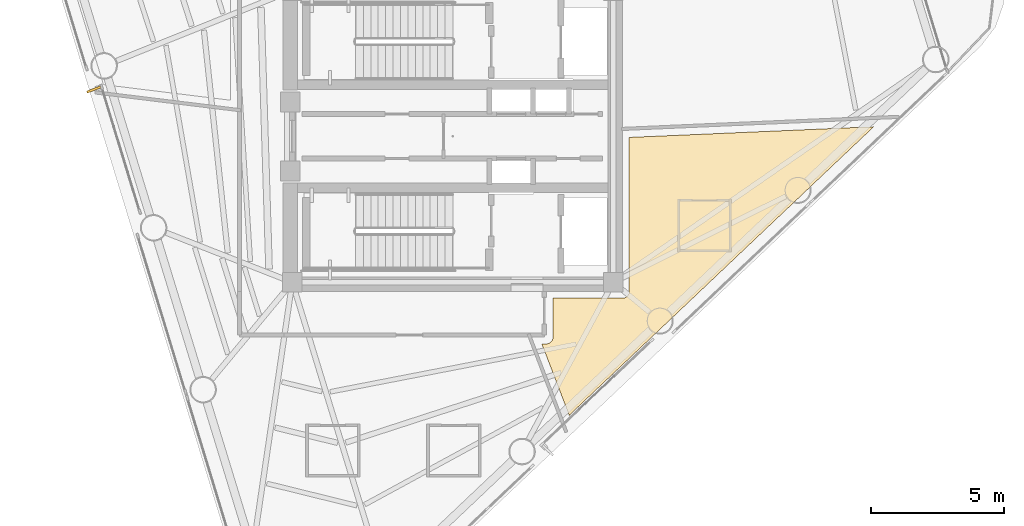
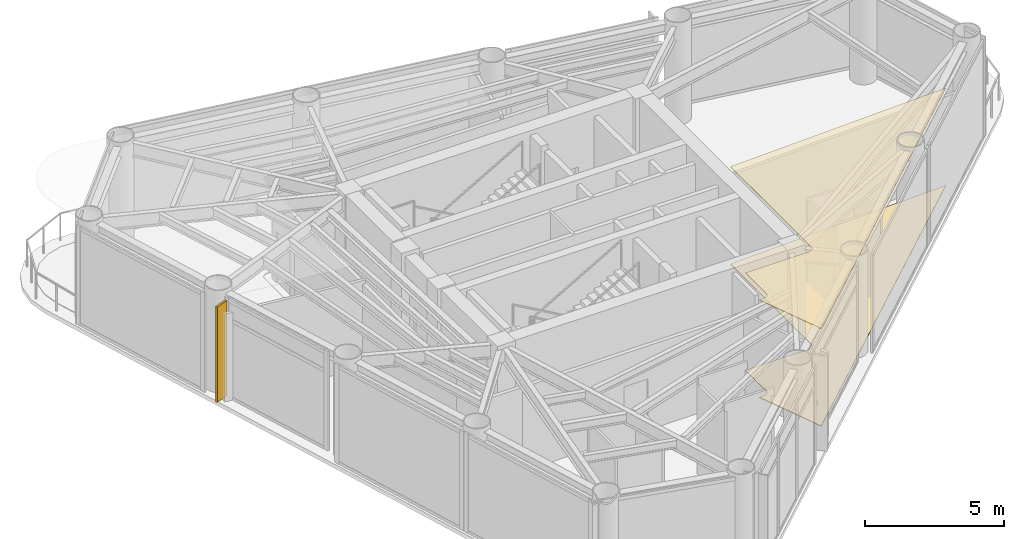
# One storey, part 9 of 11: 2 coverings, 1 shading device.
"""IFC4 building model written with IfcOpenShell, lengths in metres."""

from ifc_helpers import new_model, si_unit, direction, frame, origin, origin_2d, place, context, subcontext, project, spatial, polyline, rectangle, outline, extrude, source, transform, mapped, material, layer, layer_set, material_profile, profile_set, type_object, element, save


model = new_model("IFC4")

# Units and contexts
model_context = context("Model", 3, precision=1e-05, world=origin(), true_north=direction((0.0, 1.0)))
body_context = subcontext(model_context, "Body", "Model", "MODEL_VIEW")
ifc_project = project(units=[si_unit("LENGTHUNIT", "METRE"), si_unit("AREAUNIT", "SQUARE_METRE"), si_unit("VOLUMEUNIT", "CUBIC_METRE"), si_unit("PLANEANGLEUNIT", "RADIAN"), si_unit("MASSUNIT", "GRAM", prefix="KILO")], contexts=[model_context])

# Site, building, storey
site_placement = place(None, origin())
site = spatial("IfcSite", under=ifc_project, at=site_placement, CompositionType="ELEMENT")
building_placement = place(site_placement, origin())
building = spatial("IfcBuilding", under=site, at=building_placement, Name="Yunling Apex Tower", CompositionType="ELEMENT")
storey_placement = place(building_placement, frame((0.0, 0.0, 224.14990234375)))
storey = spatial("IfcBuildingStorey", under=building, at=storey_placement, Name="L54", CompositionType="ELEMENT", Elevation=224.14990234375)

# Coverings
ifc_material_1 = material(Name="Acoustic mineral fibre ceiling")
ifc_layer_1 = layer(ifc_material_1, 0.02490234375)
ifc_layer_set_1 = layer_set([ifc_layer_1], Name="Acoustic mineral fibre ceiling")
covering_type_1 = type_object("IfcCoveringType", Name="CV-CLG-1", PredefinedType="CEILING", material=ifc_layer_set_1)
covering_1_placement = place(storey_placement, frame((0.0, 0.0, 4.295166015625)))
element("IfcCovering", 1, at=covering_1_placement, inside=storey, type_object=covering_type_1, Name="CV-CL-SP-L54-R02", PredefinedType="CEILING", context=body_context, shape_type="SweptSolid", body=[
    extrude(outline(polyline([(4.38916015625, -10.513427734375), (3.355224609375, -7.820068359375), (3.53369140625, -7.820068359375), (3.554931640625, -7.8193359375), (3.580810546875, -7.81494140625), (3.6025390625, -7.8095703125), (3.624755859375, -7.801513671875), (3.648193359375, -7.790771484375), (3.669921875, -7.77734375), (3.688720703125, -7.763427734375), (3.706787109375, -7.746826171875), (3.723388671875, -7.728759765625), (3.7373046875, -7.7099609375), (3.750732421875, -7.688232421875), (3.76171875, -7.664794921875), (3.76953125, -7.642578125), (3.77490234375, -7.62060546875), (3.779296875, -7.594970703125), (3.780029296875, -7.57373046875), (3.780029296875, -6.10009765625), (6.40380859375, -6.10009765625), (6.4248046875, -6.099365234375), (6.45068359375, -6.094970703125), (6.472412109375, -6.089599609375), (6.494873046875, -6.08154296875), (6.518310546875, -6.07080078125), (6.5400390625, -6.057373046875), (6.55859375, -6.04345703125), (6.576904296875, -6.02685546875), (6.593505859375, -6.0087890625), (6.607421875, -5.989990234375), (6.62060546875, -5.96826171875), (6.631591796875, -5.94482421875), (6.639404296875, -5.922607421875), (6.64501953125, -5.900634765625), (6.6494140625, -5.875), (6.64990234375, -5.853759765625), (6.64990234375, -0.0400390625), (15.8662109375, 0.3623046875), (4.38916015625, -10.513427734375)])), origin(), (0.0, 0.0, 1.0), 0.02490234375),
])
ifc_material_2 = material(Name="Polished granite stone", Category="masonry")
ifc_layer_2 = layer(ifc_material_2, 0.030029296875)
ifc_layer_set_2 = layer_set([ifc_layer_2], Name="Polished granite stone")
covering_type_2 = type_object("IfcCoveringType", Name="CV-FLR-1", PredefinedType="FLOORING", material=ifc_layer_set_2)
covering_2_placement = place(storey_placement, origin())
element("IfcCovering", 2, at=covering_2_placement, inside=storey, type_object=covering_type_2, Name="CV-FL-SP-L54-R02", PredefinedType="FLOORING", context=body_context, shape_type="SweptSolid", body=[
    extrude(outline(polyline([(4.38916015625, -10.513427734375), (3.355224609375, -7.820068359375), (3.53369140625, -7.820068359375), (3.554931640625, -7.8193359375), (3.580810546875, -7.81494140625), (3.6025390625, -7.8095703125), (3.624755859375, -7.801513671875), (3.648193359375, -7.790771484375), (3.669921875, -7.77734375), (3.688720703125, -7.763427734375), (3.706787109375, -7.746826171875), (3.723388671875, -7.728759765625), (3.7373046875, -7.7099609375), (3.750732421875, -7.688232421875), (3.76171875, -7.664794921875), (3.76953125, -7.642578125), (3.77490234375, -7.62060546875), (3.779296875, -7.594970703125), (3.780029296875, -7.57373046875), (3.780029296875, -6.10009765625), (6.40380859375, -6.10009765625), (6.4248046875, -6.099365234375), (6.45068359375, -6.094970703125), (6.472412109375, -6.089599609375), (6.494873046875, -6.08154296875), (6.518310546875, -6.07080078125), (6.5400390625, -6.057373046875), (6.55859375, -6.04345703125), (6.576904296875, -6.02685546875), (6.593505859375, -6.0087890625), (6.607421875, -5.989990234375), (6.62060546875, -5.96826171875), (6.631591796875, -5.94482421875), (6.639404296875, -5.922607421875), (6.64501953125, -5.900634765625), (6.6494140625, -5.875), (6.64990234375, -5.853759765625), (6.64990234375, -0.0400390625), (15.8662109375, 0.3623046875), (4.38916015625, -10.513427734375)])), origin(), (0.0, 0.0, 1.0), 0.030029296875),
])

# Shading device
ifc_material_3 = material(Name="Bronze anodised aluminium", Category="aluminium")
ifc_material_profile = material_profile(ifc_material_3, rectangle(XDim=0.0849609375, YDim=0.550048828125, at=origin_2d()))
ifc_profile_set = profile_set([ifc_material_profile], Name="Bronze anodised aluminium")
shading_device_type = type_object("IfcShadingDeviceType", Name="FN-BRZ-3", PredefinedType="USERDEFINED", material=ifc_profile_set)
shared_shape = source(origin(), body_context, "Body", "SweptSolid", [
    extrude(rectangle(XDim=0.0849609375, YDim=0.550048828125, at=origin_2d()), origin(), (0.0, 0.0, 1.0), 4.199951171875),
])
shading_device_placement = place(storey_placement, frame((-13.533203125, 1.7646484375, 0.06005859375), z_axis=(0.0, 0.0, 1.0), x_axis=(0.354291037998, -0.935135209686, 0.0)))
element("IfcShadingDevice", 3, at=shading_device_placement, inside=storey, type_object=shading_device_type, Name="CW-L54-F3-B2-FIN-01", ObjectType="FIN", PredefinedType="USERDEFINED", context=body_context, shape_type="MappedRepresentation", body=[
    mapped(shared_shape, transform((0.0, 0.0, 0.0), scale=1.0)),
])

save(model, "model.ifc")
